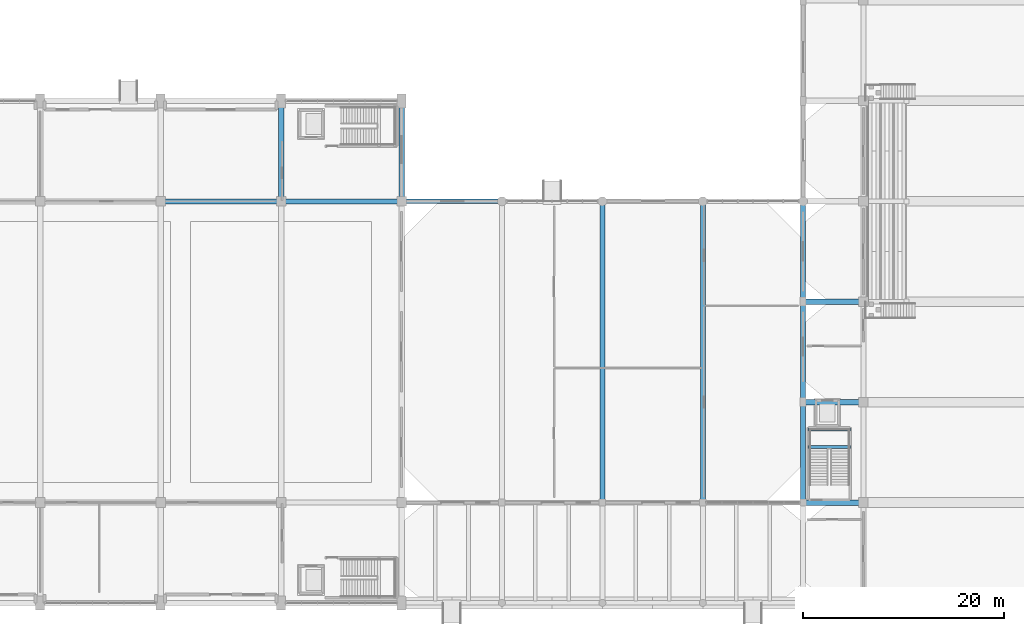
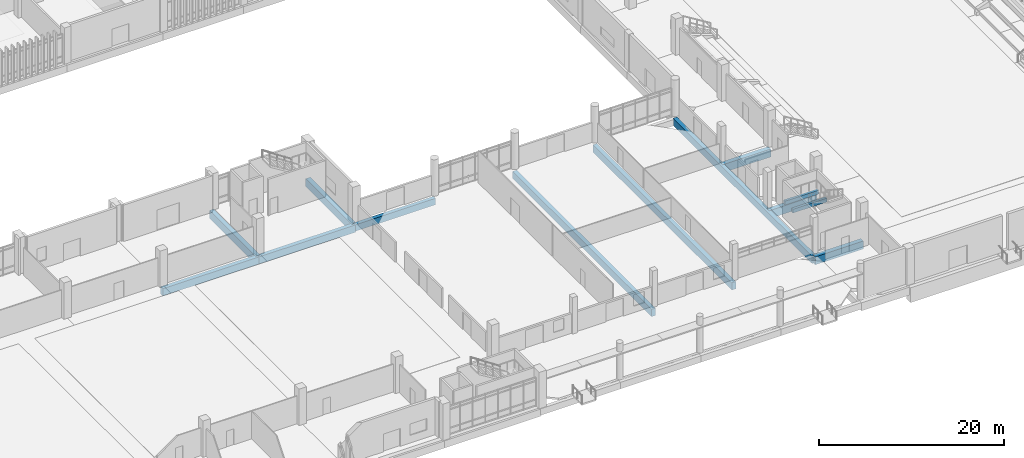
# One storey, part 25 of 87: 13 beams.
"""IFC4 building model written with IfcOpenShell, lengths in metres."""

from ifc_helpers import new_model, si_unit, direction, frame, origin, origin_2d, place, context, subcontext, project, spatial, rectangle, extrude, material, material_profile, profile_set, type_object, element, save


model = new_model("IFC4")

# Units and contexts
model_context = context("Model", 3, precision=1e-05, world=origin(), true_north=direction((0.0, 1.0)))
body_context = subcontext(model_context, "Body", "Model", "MODEL_VIEW")
ifc_project = project(units=[si_unit("LENGTHUNIT", "METRE"), si_unit("AREAUNIT", "SQUARE_METRE"), si_unit("VOLUMEUNIT", "CUBIC_METRE"), si_unit("PLANEANGLEUNIT", "RADIAN"), si_unit("MASSUNIT", "GRAM", prefix="KILO")], contexts=[model_context])

# Site, building, storey
site_placement = place(None, origin())
site = spatial("IfcSite", under=ifc_project, at=site_placement, CompositionType="ELEMENT")
building_placement = place(site_placement, origin())
building = spatial("IfcBuilding", under=site, at=building_placement, Name="Mersad Railyard Sports Hall", CompositionType="ELEMENT")
storey_placement = place(building_placement, origin())
storey = spatial("IfcBuildingStorey", under=building, at=storey_placement, Name="L00", CompositionType="ELEMENT", Elevation=0.0)

# Beams
ifc_material_1 = material(Name="Concrete C40/50", Category="concrete")
ifc_material_profile_1 = material_profile(ifc_material_1, rectangle(XDim=0.449951171875, YDim=0.85009765625, at=origin_2d()), Name="RC 450x850")
ifc_profile_set_1 = profile_set([ifc_material_profile_1], Name="Concrete C40/50")
beam_type_1 = type_object("IfcBeamType", Name="STR-BM-B02", PredefinedType="BEAM", material=ifc_profile_set_1)
beam_placement = place(storey_placement, frame((91.0, 43.5, -0.875), z_axis=(1.0, 0.0, 0.0), x_axis=(0.0, 1.0, 0.0)))
element("IfcBeam", 1, at=beam_placement, inside=storey, type_object=beam_type_1, Name="Beam B02-0061", PredefinedType="BEAM", context=body_context, shape_type="SweptSolid", body=[
    extrude(rectangle(XDim=0.449951171875, YDim=0.85009765625, at=origin_2d()), origin(), (0.0, 0.0, 1.0), 10.0),
])
ifc_material_2 = material(Name="Concrete C50/60", Category="concrete")
ifc_material_profile_2 = material_profile(ifc_material_2, rectangle(XDim=0.5, YDim=0.949951171875, at=origin_2d()), Name="RC 500x950")
ifc_profile_set_2 = profile_set([ifc_material_profile_2], Name="Concrete C50/60")
beam_type_2 = type_object("IfcBeamType", Name="STR-BM-B03", PredefinedType="BEAM", material=ifc_profile_set_2)
for number, where, z_axis, x_axis, name in (
    (2, (67.0, 43.5, -0.925048828125), (1.0, 0.0, 0.0), (0.0, 1.0, 0.0), "Beam B03-0020"),
    (3, (79.0, 43.5, -0.925048828125), (1.0, 0.0, 0.0), (0.0, 1.0, 0.0), "Beam B03-0021"),
):
    element("IfcBeam", number, at=place(storey_placement, frame(where, z_axis=z_axis, x_axis=x_axis)), inside=storey, type_object=beam_type_2, Name=name, PredefinedType="BEAM", context=body_context, shape_type="SweptSolid", body=[
        extrude(rectangle(XDim=0.5, YDim=0.949951171875, at=origin_2d()), origin(), (0.0, 0.0, 1.0), 12.0),
    ])
for number, where, z_axis, x_axis, name in (
    (4, (111.0, 13.5, -0.925048828125), (0.0, 1.0, 0.0), (-1.0, 0.0, 0.0), "Beam B03-0068"),
    (5, (121.0, 13.5, -0.925048828125), (0.0, 1.0, 0.0), (-1.0, 0.0, 0.0), "Beam B03-0070"),
    (6, (131.0, 13.5, -0.925048828125), (0.0, 1.0, 0.0), (-1.0, 0.0, 0.0), "Beam B03-0072"),
):
    element("IfcBeam", number, at=place(storey_placement, frame(where, z_axis=z_axis, x_axis=x_axis)), inside=storey, type_object=beam_type_2, Name=name, PredefinedType="BEAM", context=body_context, shape_type="SweptSolid", body=[
        extrude(rectangle(XDim=0.5, YDim=0.949951171875, at=origin_2d()), origin(), (0.0, 0.0, 1.0), 30.0),
    ])
ifc_material_profile_3 = material_profile(ifc_material_2, rectangle(XDim=0.550048828125, YDim=1.050048828125, at=origin_2d()), Name="RC 550x1050")
ifc_profile_set_3 = profile_set([ifc_material_profile_3], Name="Concrete C50/60")
beam_type_3 = type_object("IfcBeamType", Name="STR-BM-B04", PredefinedType="BEAM", material=ifc_profile_set_3)
for number, where, z_axis, x_axis, name in (
    (7, (79.0, 43.5, -0.97509765625), (0.0, 1.0, 0.0), (-1.0, 0.0, 0.0), "Beam B04-0049"),
    (8, (91.0, 43.5, -0.97509765625), (0.0, 1.0, 0.0), (-1.0, 0.0, 0.0), "Beam B04-0052"),
):
    element("IfcBeam", number, at=place(storey_placement, frame(where, z_axis=z_axis, x_axis=x_axis)), inside=storey, type_object=beam_type_3, Name=name, PredefinedType="BEAM", context=body_context, shape_type="SweptSolid", body=[
        extrude(rectangle(XDim=0.550048828125, YDim=1.050048828125, at=origin_2d()), origin(), (0.0, 0.0, 1.0), 10.0),
    ])
for number, where, z_axis, x_axis, name in (
    (9, (131.0, 13.5, -0.97509765625), (1.0, 0.0, 0.0), (0.0, 1.0, 0.0), "Beam B04-0084"),
    (10, (131.0, 23.5, -0.97509765625), (1.0, 0.0, 0.0), (0.0, 1.0, 0.0), "Beam B04-0087"),
    (11, (131.0, 33.5, -0.97509765625), (1.0, 0.0, 0.0), (0.0, 1.0, 0.0), "Beam B04-0090"),
):
    element("IfcBeam", number, at=place(storey_placement, frame(where, z_axis=z_axis, x_axis=x_axis)), inside=storey, type_object=beam_type_3, Name=name, PredefinedType="BEAM", context=body_context, shape_type="SweptSolid", body=[
        extrude(rectangle(XDim=0.550048828125, YDim=1.050048828125, at=origin_2d()), origin(), (0.0, 0.0, 1.0), 6.0),
    ])
ifc_material_profile_4 = material_profile(ifc_material_1, rectangle(XDim=0.300048828125, YDim=0.5, at=origin_2d()), Name="RC 300x500")
ifc_profile_set_4 = profile_set([ifc_material_profile_4], Name="Concrete C40/50")
beam_type_4 = type_object("IfcBeamType", Name="STR-BM-LN01", PredefinedType="LINTEL", material=ifc_profile_set_4)
for number, where, z_axis, x_axis, name in (
    (12, (131.47998046875, 19.030029296875, 1.969970703125), (1.0, 0.0, 0.0), (0.0, 1.0, 0.0), "Stair ST09A landing beam S"),
    (13, (131.47998046875, 20.77001953125, 1.969970703125), (1.0, 0.0, 0.0), (0.0, 1.0, 0.0), "Stair ST09A landing beam N"),
):
    element("IfcBeam", number, at=place(storey_placement, frame(where, z_axis=z_axis, x_axis=x_axis)), inside=storey, type_object=beam_type_4, Name=name, PredefinedType="LINTEL", context=body_context, shape_type="SweptSolid", body=[
        extrude(rectangle(XDim=0.300048828125, YDim=0.5, at=origin_2d()), origin(), (0.0, 0.0, 1.0), 4.239990234375),
    ])

save(model, "model.ifc")
